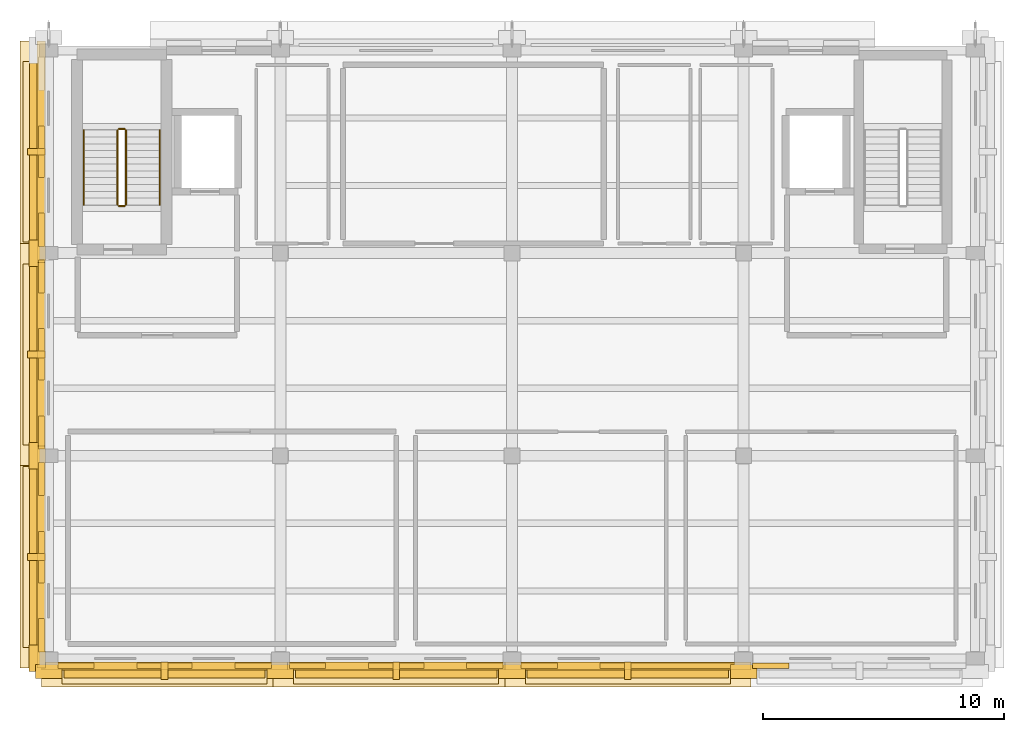
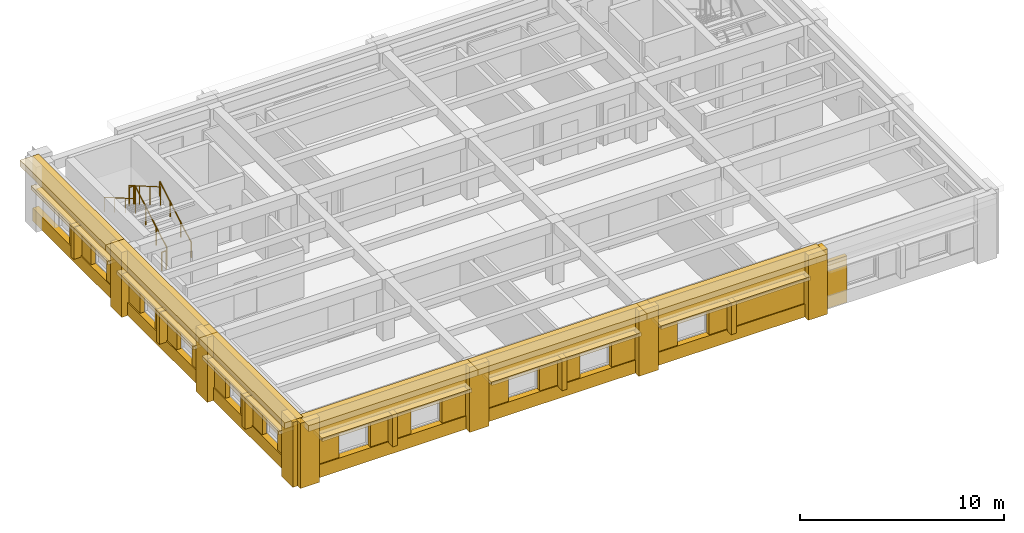
# One storey, part 7 of 9: 54 coverings, 6 railings, 6 shading devices.
"""IFC4 building model written with IfcOpenShell, lengths in metres."""

from ifc_helpers import new_model, si_unit, direction, frame, origin, origin_2d, place, context, subcontext, project, spatial, rectangle, circle, extrude, material, layer, layer_set, type_object, element, save


model = new_model("IFC4")

# Units and contexts
model_context = context("Model", 3, precision=1e-05, world=origin(), true_north=direction((0.0, 1.0)))
body_context = subcontext(model_context, "Body", "Model", "MODEL_VIEW")
ifc_project = project(units=[si_unit("LENGTHUNIT", "METRE"), si_unit("AREAUNIT", "SQUARE_METRE"), si_unit("VOLUMEUNIT", "CUBIC_METRE"), si_unit("PLANEANGLEUNIT", "RADIAN"), si_unit("MASSUNIT", "GRAM", prefix="KILO")], contexts=[model_context])

# Site, building, storey
site_placement = place(None, origin())
site = spatial("IfcSite", under=ifc_project, at=site_placement, CompositionType="ELEMENT")
building_placement = place(site_placement, origin())
building = spatial("IfcBuilding", under=site, at=building_placement, Name="Bempovik Park Faculty of Sciences", CompositionType="ELEMENT")
storey_placement = place(building_placement, frame((0.0, 0.0, 46.199951171875)))
storey = spatial("IfcBuildingStorey", under=building, at=storey_placement, Name="L11", CompositionType="ELEMENT", Elevation=46.199951171875)

# Coverings
ifc_material_1 = material(Name="Precast concrete C40/50", Category="concrete")
ifc_layer_1 = layer(ifc_material_1, 0.179931640625)
ifc_layer_set_1 = layer_set([ifc_layer_1], Name="Precast concrete C40/50")
covering_type_1 = type_object("IfcCoveringType", Name="CL-02 Classical Cornice Band 180mm", PredefinedType="CLADDING", material=ifc_layer_set_1)
covering_1_placement = place(storey_placement, frame((68.93505859375, 98.39990234375, 3.5400390625), z_axis=(0.0, 0.0, 1.0), x_axis=(1.0, 0.0, 0.0)))
element("IfcCovering", 1, at=covering_1_placement, inside=storey, type_object=covering_type_1, Name="L11 Classical Projecting Dentil Cornice EW-L11-11356", PredefinedType="CLADDING", context=body_context, shape_type="SweptSolid", body=[
    extrude(rectangle(XDim=1.050048828125, YDim=9.196044921875, at=origin_2d()), origin(), (0.0, 0.0, 1.0), 0.360107421875),
])
covering_2_placement = place(storey_placement, frame((69.0, 98.39990234375, 2.60986328125), z_axis=(0.0, 0.0, 1.0), x_axis=(1.0, 0.0, 0.0)))
element("IfcCovering", 2, at=covering_2_placement, inside=storey, type_object=covering_type_1, Name="L11 Classical Stone Solar Window Hood EW-L11-11356", PredefinedType="CLADDING", context=body_context, shape_type="SweptSolid", body=[
    extrude(rectangle(XDim=0.919921875, YDim=7.49609375, at=origin_2d()), origin(), (0.0, 0.0, 1.0), 0.219970703125),
])
covering_3_placement = place(storey_placement, frame((68.93505859375, 106.800048828125, 3.5400390625), z_axis=(0.0, 0.0, 1.0), x_axis=(1.0, 0.0, 0.0)))
element("IfcCovering", 3, at=covering_3_placement, inside=storey, type_object=covering_type_1, Name="L11 Classical Projecting Dentil Cornice EW-L11-11370", PredefinedType="CLADDING", context=body_context, shape_type="SweptSolid", body=[
    extrude(rectangle(XDim=1.050048828125, YDim=9.196044921875, at=origin_2d()), origin(), (0.0, 0.0, 1.0), 0.360107421875),
])
covering_4_placement = place(storey_placement, frame((69.0, 106.800048828125, 2.60986328125), z_axis=(0.0, 0.0, 1.0), x_axis=(1.0, 0.0, 0.0)))
element("IfcCovering", 4, at=covering_4_placement, inside=storey, type_object=covering_type_1, Name="L11 Classical Stone Solar Window Hood EW-L11-11370", PredefinedType="CLADDING", context=body_context, shape_type="SweptSolid", body=[
    extrude(rectangle(XDim=0.919921875, YDim=7.49609375, at=origin_2d()), origin(), (0.0, 0.0, 1.0), 0.219970703125),
])
covering_5_placement = place(storey_placement, frame((68.93505859375, 115.199951171875, 3.5400390625), z_axis=(0.0, 0.0, 1.0), x_axis=(1.0, 0.0, 0.0)))
element("IfcCovering", 5, at=covering_5_placement, inside=storey, type_object=covering_type_1, Name="L11 Classical Projecting Dentil Cornice EW-L11-11383", PredefinedType="CLADDING", context=body_context, shape_type="SweptSolid", body=[
    extrude(rectangle(XDim=1.050048828125, YDim=9.196044921875, at=origin_2d()), origin(), (0.0, 0.0, 1.0), 0.360107421875),
])
covering_6_placement = place(storey_placement, frame((69.0, 115.199951171875, 2.60986328125), z_axis=(0.0, 0.0, 1.0), x_axis=(1.0, 0.0, 0.0)))
element("IfcCovering", 6, at=covering_6_placement, inside=storey, type_object=covering_type_1, Name="L11 Classical Stone Solar Window Hood EW-L11-11383", PredefinedType="CLADDING", context=body_context, shape_type="SweptSolid", body=[
    extrude(rectangle(XDim=0.919921875, YDim=7.49609375, at=origin_2d()), origin(), (0.0, 0.0, 1.0), 0.219970703125),
])
covering_7_placement = place(storey_placement, frame((74.39990234375, 93.534912109375, 3.5400390625), z_axis=(0.0, 0.0, 1.0), x_axis=(1.0, 0.0, 0.0)))
element("IfcCovering", 7, at=covering_7_placement, inside=storey, type_object=covering_type_1, Name="L11 Classical Projecting Dentil Cornice EW-L11-11396", PredefinedType="CLADDING", context=body_context, shape_type="SweptSolid", body=[
    extrude(rectangle(XDim=10.196044921875, YDim=1.050048828125, at=origin_2d()), origin(), (0.0, 0.0, 1.0), 0.360107421875),
])
covering_8_placement = place(storey_placement, frame((74.39990234375, 93.60009765625, 2.56005859375), z_axis=(0.0, 0.0, 1.0), x_axis=(1.0, 0.0, 0.0)))
element("IfcCovering", 8, at=covering_8_placement, inside=storey, type_object=covering_type_1, Name="L11 Classical Stone Solar Window Hood EW-L11-11396", PredefinedType="CLADDING", context=body_context, shape_type="SweptSolid", body=[
    extrude(rectangle(XDim=8.49609375, YDim=0.919921875, at=origin_2d()), origin(), (0.0, 0.0, 1.0), 0.219970703125),
])
covering_9_placement = place(storey_placement, frame((84.0, 93.534912109375, 3.5400390625), z_axis=(0.0, 0.0, 1.0), x_axis=(1.0, 0.0, 0.0)))
element("IfcCovering", 9, at=covering_9_placement, inside=storey, type_object=covering_type_1, Name="L11 Classical Projecting Dentil Cornice EW-L11-11410", PredefinedType="CLADDING", context=body_context, shape_type="SweptSolid", body=[
    extrude(rectangle(XDim=10.196044921875, YDim=1.050048828125, at=origin_2d()), origin(), (0.0, 0.0, 1.0), 0.360107421875),
])
covering_10_placement = place(storey_placement, frame((84.0, 93.60009765625, 2.56005859375), z_axis=(0.0, 0.0, 1.0), x_axis=(1.0, 0.0, 0.0)))
element("IfcCovering", 10, at=covering_10_placement, inside=storey, type_object=covering_type_1, Name="L11 Classical Stone Solar Window Hood EW-L11-11410", PredefinedType="CLADDING", context=body_context, shape_type="SweptSolid", body=[
    extrude(rectangle(XDim=8.49609375, YDim=0.919921875, at=origin_2d()), origin(), (0.0, 0.0, 1.0), 0.219970703125),
])
covering_11_placement = place(storey_placement, frame((93.60009765625, 93.534912109375, 3.5400390625), z_axis=(0.0, 0.0, 1.0), x_axis=(1.0, 0.0, 0.0)))
element("IfcCovering", 11, at=covering_11_placement, inside=storey, type_object=covering_type_1, Name="L11 Classical Projecting Dentil Cornice EW-L11-11423", PredefinedType="CLADDING", context=body_context, shape_type="SweptSolid", body=[
    extrude(rectangle(XDim=10.196044921875, YDim=1.050048828125, at=origin_2d()), origin(), (0.0, 0.0, 1.0), 0.360107421875),
])
covering_12_placement = place(storey_placement, frame((93.60009765625, 93.60009765625, 2.56005859375), z_axis=(0.0, 0.0, 1.0), x_axis=(1.0, 0.0, 0.0)))
element("IfcCovering", 12, at=covering_12_placement, inside=storey, type_object=covering_type_1, Name="L11 Classical Stone Solar Window Hood EW-L11-11423", PredefinedType="CLADDING", context=body_context, shape_type="SweptSolid", body=[
    extrude(rectangle(XDim=8.49609375, YDim=0.919921875, at=origin_2d()), origin(), (0.0, 0.0, 1.0), 0.219970703125),
])
ifc_material_2 = material(Name="White reconstituted limestone precast C40/50", Category="masonry")
ifc_layer_2 = layer(ifc_material_2, 0.239990234375)
ifc_layer_set_2 = layer_set([ifc_layer_2], Name="White reconstituted limestone precast C40/50")
covering_type_2 = type_object("IfcCoveringType", Name="CL-03 Classical Fluted Limestone Pilaster 240mm", PredefinedType="CLADDING", material=ifc_layer_set_2)
covering_13_placement = place(storey_placement, frame((69.2900390625, 98.39990234375, 2.6201171875), z_axis=(0.0, 0.0, 1.0), x_axis=(1.0, 0.0, 0.0)))
element("IfcCovering", 13, at=covering_13_placement, inside=storey, type_object=covering_type_2, Name="L11 Classical Limestone Spandrel Entablature EW-L11-11356", PredefinedType="CLADDING", context=body_context, shape_type="SweptSolid", body=[
    extrude(rectangle(XDim=0.340087890625, YDim=9.196044921875, at=origin_2d()), origin(), (0.0, 0.0, 1.0), 1.280029296875),
])
covering_14_placement = place(storey_placement, frame((69.2900390625, 98.39990234375, 0.0), z_axis=(0.0, 0.0, 1.0), x_axis=(1.0, 0.0, 0.0)))
element("IfcCovering", 14, at=covering_14_placement, inside=storey, type_object=covering_type_2, Name="L11 Classical Limestone Sill Dado EW-L11-11356", PredefinedType="CLADDING", context=body_context, shape_type="SweptSolid", body=[
    extrude(rectangle(XDim=0.340087890625, YDim=9.196044921875, at=origin_2d()), origin(), (0.0, 0.0, 1.0), 0.780029296875),
])
for number, where, z_axis, x_axis, name in (
    (15, (69.070068359375, 94.199951171875, 0.0), (0.0, 0.0, 1.0), (1.0, 0.0, 0.0), "L11 Classical Fluted Stone Pilaster PIL-BA-L11-691-942"),
    (16, (69.070068359375, 102.60009765625, 0.0), (0.0, 0.0, 1.0), (1.0, 0.0, 0.0), "L11 Classical Fluted Stone Pilaster PIL-BA-L11-691-1026"),
):
    element("IfcCovering", number, at=place(storey_placement, frame(where, z_axis=z_axis, x_axis=x_axis)), inside=storey, type_object=covering_type_2, Name=name, PredefinedType="CLADDING", context=body_context, shape_type="SweptSolid", body=[
        extrude(rectangle(XDim=0.580078125, YDim=1.10009765625, at=origin_2d()), origin(), (0.0, 0.0, 1.0), 3.89990234375),
    ])
covering_15_placement = place(storey_placement, frame((69.300048828125, 95.166259765625, 0.0), z_axis=(0.0, 0.0, 1.0), x_axis=(1.0, 0.0, 0.0)))
element("IfcCovering", 17, at=covering_15_placement, inside=storey, type_object=covering_type_2, Name="L11 White Limestone Wall Cheek EW-L11-11356-0", PredefinedType="CLADDING", context=body_context, shape_type="SweptSolid", body=[
    extrude(rectangle(XDim=0.239990234375, YDim=1.37841796875, at=origin_2d()), origin(), (0.0, 0.0, 1.0), 2.780029296875),
])
covering_16_placement = place(storey_placement, frame((69.300048828125, 98.39990234375, 0.0), z_axis=(0.0, 0.0, 1.0), x_axis=(1.0, 0.0, 0.0)))
element("IfcCovering", 18, at=covering_16_placement, inside=storey, type_object=covering_type_2, Name="L11 White Limestone Wall Cheek EW-L11-11356-2", PredefinedType="CLADDING", context=body_context, shape_type="SweptSolid", body=[
    extrude(rectangle(XDim=0.239990234375, YDim=2.129150390625, at=origin_2d()), origin(), (0.0, 0.0, 1.0), 2.780029296875),
])
covering_17_placement = place(storey_placement, frame((69.300048828125, 101.6337890625, 0.0), z_axis=(0.0, 0.0, 1.0), x_axis=(1.0, 0.0, 0.0)))
element("IfcCovering", 19, at=covering_17_placement, inside=storey, type_object=covering_type_2, Name="L11 White Limestone Wall Cheek EW-L11-11356-4", PredefinedType="CLADDING", context=body_context, shape_type="SweptSolid", body=[
    extrude(rectangle(XDim=0.239990234375, YDim=1.37841796875, at=origin_2d()), origin(), (0.0, 0.0, 1.0), 2.780029296875),
])
covering_18_placement = place(storey_placement, frame((69.090087890625, 98.39990234375, 0.7001953125), z_axis=(0.0, 0.0, 1.0), x_axis=(1.0, 0.0, 0.0)))
element("IfcCovering", 20, at=covering_18_placement, inside=storey, type_object=covering_type_2, Name="L11 Classical Vertical Stone Shading Fin EW-L11-11356", PredefinedType="CLADDING", context=body_context, shape_type="SweptSolid", body=[
    extrude(rectangle(XDim=0.719970703125, YDim=0.280029296875, at=origin_2d()), origin(), (0.0, 0.0, 1.0), 1.949951171875),
])
covering_19_placement = place(storey_placement, frame((69.2900390625, 106.800048828125, 2.6201171875), z_axis=(0.0, 0.0, 1.0), x_axis=(1.0, 0.0, 0.0)))
element("IfcCovering", 21, at=covering_19_placement, inside=storey, type_object=covering_type_2, Name="L11 Classical Limestone Spandrel Entablature EW-L11-11370", PredefinedType="CLADDING", context=body_context, shape_type="SweptSolid", body=[
    extrude(rectangle(XDim=0.340087890625, YDim=9.196044921875, at=origin_2d()), origin(), (0.0, 0.0, 1.0), 1.280029296875),
])
covering_20_placement = place(storey_placement, frame((69.2900390625, 106.800048828125, 0.0), z_axis=(0.0, 0.0, 1.0), x_axis=(1.0, 0.0, 0.0)))
element("IfcCovering", 22, at=covering_20_placement, inside=storey, type_object=covering_type_2, Name="L11 Classical Limestone Sill Dado EW-L11-11370", PredefinedType="CLADDING", context=body_context, shape_type="SweptSolid", body=[
    extrude(rectangle(XDim=0.340087890625, YDim=9.196044921875, at=origin_2d()), origin(), (0.0, 0.0, 1.0), 0.780029296875),
])
covering_21_placement = place(storey_placement, frame((69.070068359375, 111.0, 0.0), z_axis=(0.0, 0.0, 1.0), x_axis=(1.0, 0.0, 0.0)))
element("IfcCovering", 23, at=covering_21_placement, inside=storey, type_object=covering_type_2, Name="L11 Classical Fluted Stone Pilaster PIL-BA-L11-691-1110", PredefinedType="CLADDING", context=body_context, shape_type="SweptSolid", body=[
    extrude(rectangle(XDim=0.580078125, YDim=1.10009765625, at=origin_2d()), origin(), (0.0, 0.0, 1.0), 3.89990234375),
])
covering_22_placement = place(storey_placement, frame((69.300048828125, 103.566162109375, 0.0), z_axis=(0.0, 0.0, 1.0), x_axis=(1.0, 0.0, 0.0)))
element("IfcCovering", 24, at=covering_22_placement, inside=storey, type_object=covering_type_2, Name="L11 White Limestone Wall Cheek EW-L11-11370-0", PredefinedType="CLADDING", context=body_context, shape_type="SweptSolid", body=[
    extrude(rectangle(XDim=0.239990234375, YDim=1.37841796875, at=origin_2d()), origin(), (0.0, 0.0, 1.0), 2.780029296875),
])
covering_23_placement = place(storey_placement, frame((69.300048828125, 106.800048828125, 0.0), z_axis=(0.0, 0.0, 1.0), x_axis=(1.0, 0.0, 0.0)))
element("IfcCovering", 25, at=covering_23_placement, inside=storey, type_object=covering_type_2, Name="L11 White Limestone Wall Cheek EW-L11-11370-2", PredefinedType="CLADDING", context=body_context, shape_type="SweptSolid", body=[
    extrude(rectangle(XDim=0.239990234375, YDim=2.129150390625, at=origin_2d()), origin(), (0.0, 0.0, 1.0), 2.780029296875),
])
covering_24_placement = place(storey_placement, frame((69.300048828125, 110.03369140625, 0.0), z_axis=(0.0, 0.0, 1.0), x_axis=(1.0, 0.0, 0.0)))
element("IfcCovering", 26, at=covering_24_placement, inside=storey, type_object=covering_type_2, Name="L11 White Limestone Wall Cheek EW-L11-11370-4", PredefinedType="CLADDING", context=body_context, shape_type="SweptSolid", body=[
    extrude(rectangle(XDim=0.239990234375, YDim=1.37841796875, at=origin_2d()), origin(), (0.0, 0.0, 1.0), 2.780029296875),
])
covering_25_placement = place(storey_placement, frame((69.090087890625, 106.800048828125, 0.7001953125), z_axis=(0.0, 0.0, 1.0), x_axis=(1.0, 0.0, 0.0)))
element("IfcCovering", 27, at=covering_25_placement, inside=storey, type_object=covering_type_2, Name="L11 Classical Vertical Stone Shading Fin EW-L11-11370", PredefinedType="CLADDING", context=body_context, shape_type="SweptSolid", body=[
    extrude(rectangle(XDim=0.719970703125, YDim=0.280029296875, at=origin_2d()), origin(), (0.0, 0.0, 1.0), 1.949951171875),
])
covering_26_placement = place(storey_placement, frame((69.2900390625, 115.199951171875, 2.6201171875), z_axis=(0.0, 0.0, 1.0), x_axis=(1.0, 0.0, 0.0)))
element("IfcCovering", 28, at=covering_26_placement, inside=storey, type_object=covering_type_2, Name="L11 Classical Limestone Spandrel Entablature EW-L11-11383", PredefinedType="CLADDING", context=body_context, shape_type="SweptSolid", body=[
    extrude(rectangle(XDim=0.340087890625, YDim=9.196044921875, at=origin_2d()), origin(), (0.0, 0.0, 1.0), 1.280029296875),
])
covering_27_placement = place(storey_placement, frame((69.2900390625, 115.199951171875, 0.0), z_axis=(0.0, 0.0, 1.0), x_axis=(1.0, 0.0, 0.0)))
element("IfcCovering", 29, at=covering_27_placement, inside=storey, type_object=covering_type_2, Name="L11 Classical Limestone Sill Dado EW-L11-11383", PredefinedType="CLADDING", context=body_context, shape_type="SweptSolid", body=[
    extrude(rectangle(XDim=0.340087890625, YDim=9.196044921875, at=origin_2d()), origin(), (0.0, 0.0, 1.0), 0.780029296875),
])
covering_28_placement = place(storey_placement, frame((69.300048828125, 111.96630859375, 0.0), z_axis=(0.0, 0.0, 1.0), x_axis=(1.0, 0.0, 0.0)))
element("IfcCovering", 30, at=covering_28_placement, inside=storey, type_object=covering_type_2, Name="L11 White Limestone Wall Cheek EW-L11-11383-0", PredefinedType="CLADDING", context=body_context, shape_type="SweptSolid", body=[
    extrude(rectangle(XDim=0.239990234375, YDim=1.37841796875, at=origin_2d()), origin(), (0.0, 0.0, 1.0), 2.780029296875),
])
covering_29_placement = place(storey_placement, frame((69.300048828125, 115.199951171875, 0.0), z_axis=(0.0, 0.0, 1.0), x_axis=(1.0, 0.0, 0.0)))
element("IfcCovering", 31, at=covering_29_placement, inside=storey, type_object=covering_type_2, Name="L11 White Limestone Wall Cheek EW-L11-11383-2", PredefinedType="CLADDING", context=body_context, shape_type="SweptSolid", body=[
    extrude(rectangle(XDim=0.239990234375, YDim=2.129150390625, at=origin_2d()), origin(), (0.0, 0.0, 1.0), 2.780029296875),
])
covering_30_placement = place(storey_placement, frame((69.090087890625, 115.199951171875, 0.7001953125), z_axis=(0.0, 0.0, 1.0), x_axis=(1.0, 0.0, 0.0)))
element("IfcCovering", 32, at=covering_30_placement, inside=storey, type_object=covering_type_2, Name="L11 Classical Vertical Stone Shading Fin EW-L11-11383", PredefinedType="CLADDING", context=body_context, shape_type="SweptSolid", body=[
    extrude(rectangle(XDim=0.719970703125, YDim=0.280029296875, at=origin_2d()), origin(), (0.0, 0.0, 1.0), 1.949951171875),
])
covering_31_placement = place(storey_placement, frame((74.39990234375, 93.889892578125, 2.6201171875), z_axis=(0.0, 0.0, 1.0), x_axis=(1.0, 0.0, 0.0)))
element("IfcCovering", 33, at=covering_31_placement, inside=storey, type_object=covering_type_2, Name="L11 Classical Limestone Spandrel Entablature EW-L11-11396", PredefinedType="CLADDING", context=body_context, shape_type="SweptSolid", body=[
    extrude(rectangle(XDim=10.196044921875, YDim=0.340087890625, at=origin_2d()), origin(), (0.0, 0.0, 1.0), 1.280029296875),
])
covering_32_placement = place(storey_placement, frame((74.39990234375, 93.889892578125, 0.0), z_axis=(0.0, 0.0, 1.0), x_axis=(1.0, 0.0, 0.0)))
element("IfcCovering", 34, at=covering_32_placement, inside=storey, type_object=covering_type_2, Name="L11 Classical Limestone Sill Dado EW-L11-11396", PredefinedType="CLADDING", context=body_context, shape_type="SweptSolid", body=[
    extrude(rectangle(XDim=10.196044921875, YDim=0.340087890625, at=origin_2d()), origin(), (0.0, 0.0, 1.0), 0.780029296875),
])
for number, where, z_axis, x_axis, name in (
    (35, (69.60009765625, 93.669921875, 0.0), (0.0, 0.0, 1.0), (1.0, 0.0, 0.0), "L11 Classical Fluted Stone Pilaster PIL-BA-L11-696-937"),
    (36, (79.199951171875, 93.669921875, 0.0), (0.0, 0.0, 1.0), (1.0, 0.0, 0.0), "L11 Classical Fluted Stone Pilaster PIL-BA-L11-792-937"),
):
    element("IfcCovering", number, at=place(storey_placement, frame(where, z_axis=z_axis, x_axis=x_axis)), inside=storey, type_object=covering_type_2, Name=name, PredefinedType="CLADDING", context=body_context, shape_type="SweptSolid", body=[
        extrude(rectangle(XDim=1.10009765625, YDim=0.580078125, at=origin_2d()), origin(), (0.0, 0.0, 1.0), 3.89990234375),
    ])
covering_33_placement = place(storey_placement, frame((70.726318359375, 93.89990234375, 0.0), z_axis=(0.0, 0.0, 1.0), x_axis=(1.0, 0.0, 0.0)))
element("IfcCovering", 37, at=covering_33_placement, inside=storey, type_object=covering_type_2, Name="L11 White Limestone Wall Cheek EW-L11-11396-0", PredefinedType="CLADDING", context=body_context, shape_type="SweptSolid", body=[
    extrude(rectangle(XDim=1.498291015625, YDim=0.239990234375, at=origin_2d()), origin(), (0.0, 0.0, 1.0), 2.780029296875),
])
covering_34_placement = place(storey_placement, frame((74.39990234375, 93.89990234375, 0.0), z_axis=(0.0, 0.0, 1.0), x_axis=(1.0, 0.0, 0.0)))
element("IfcCovering", 38, at=covering_34_placement, inside=storey, type_object=covering_type_2, Name="L11 White Limestone Wall Cheek EW-L11-11396-2", PredefinedType="CLADDING", context=body_context, shape_type="SweptSolid", body=[
    extrude(rectangle(XDim=2.289306640625, YDim=0.239990234375, at=origin_2d()), origin(), (0.0, 0.0, 1.0), 2.780029296875),
])
covering_35_placement = place(storey_placement, frame((78.07373046875, 93.89990234375, 0.0), z_axis=(0.0, 0.0, 1.0), x_axis=(1.0, 0.0, 0.0)))
element("IfcCovering", 39, at=covering_35_placement, inside=storey, type_object=covering_type_2, Name="L11 White Limestone Wall Cheek EW-L11-11396-4", PredefinedType="CLADDING", context=body_context, shape_type="SweptSolid", body=[
    extrude(rectangle(XDim=1.498291015625, YDim=0.239990234375, at=origin_2d()), origin(), (0.0, 0.0, 1.0), 2.780029296875),
])
covering_36_placement = place(storey_placement, frame((74.39990234375, 93.68994140625, 0.7001953125), z_axis=(0.0, 0.0, 1.0), x_axis=(1.0, 0.0, 0.0)))
element("IfcCovering", 40, at=covering_36_placement, inside=storey, type_object=covering_type_2, Name="L11 Classical Vertical Stone Shading Fin EW-L11-11396", PredefinedType="CLADDING", context=body_context, shape_type="SweptSolid", body=[
    extrude(rectangle(XDim=0.280029296875, YDim=0.719970703125, at=origin_2d()), origin(), (0.0, 0.0, 1.0), 1.89990234375),
])
covering_37_placement = place(storey_placement, frame((84.0, 93.889892578125, 2.6201171875), z_axis=(0.0, 0.0, 1.0), x_axis=(1.0, 0.0, 0.0)))
element("IfcCovering", 41, at=covering_37_placement, inside=storey, type_object=covering_type_2, Name="L11 Classical Limestone Spandrel Entablature EW-L11-11410", PredefinedType="CLADDING", context=body_context, shape_type="SweptSolid", body=[
    extrude(rectangle(XDim=10.196044921875, YDim=0.340087890625, at=origin_2d()), origin(), (0.0, 0.0, 1.0), 1.280029296875),
])
covering_38_placement = place(storey_placement, frame((84.0, 93.889892578125, 0.0), z_axis=(0.0, 0.0, 1.0), x_axis=(1.0, 0.0, 0.0)))
element("IfcCovering", 42, at=covering_38_placement, inside=storey, type_object=covering_type_2, Name="L11 Classical Limestone Sill Dado EW-L11-11410", PredefinedType="CLADDING", context=body_context, shape_type="SweptSolid", body=[
    extrude(rectangle(XDim=10.196044921875, YDim=0.340087890625, at=origin_2d()), origin(), (0.0, 0.0, 1.0), 0.780029296875),
])
covering_39_placement = place(storey_placement, frame((88.800048828125, 93.669921875, 0.0), z_axis=(0.0, 0.0, 1.0), x_axis=(1.0, 0.0, 0.0)))
element("IfcCovering", 43, at=covering_39_placement, inside=storey, type_object=covering_type_2, Name="L11 Classical Fluted Stone Pilaster PIL-BA-L11-888-937", PredefinedType="CLADDING", context=body_context, shape_type="SweptSolid", body=[
    extrude(rectangle(XDim=1.10009765625, YDim=0.580078125, at=origin_2d()), origin(), (0.0, 0.0, 1.0), 3.89990234375),
])
covering_40_placement = place(storey_placement, frame((80.326171875, 93.89990234375, 0.0), z_axis=(0.0, 0.0, 1.0), x_axis=(1.0, 0.0, 0.0)))
element("IfcCovering", 44, at=covering_40_placement, inside=storey, type_object=covering_type_2, Name="L11 White Limestone Wall Cheek EW-L11-11410-0", PredefinedType="CLADDING", context=body_context, shape_type="SweptSolid", body=[
    extrude(rectangle(XDim=1.498291015625, YDim=0.239990234375, at=origin_2d()), origin(), (0.0, 0.0, 1.0), 2.780029296875),
])
covering_41_placement = place(storey_placement, frame((84.0, 93.89990234375, 0.0), z_axis=(0.0, 0.0, 1.0), x_axis=(1.0, 0.0, 0.0)))
element("IfcCovering", 45, at=covering_41_placement, inside=storey, type_object=covering_type_2, Name="L11 White Limestone Wall Cheek EW-L11-11410-2", PredefinedType="CLADDING", context=body_context, shape_type="SweptSolid", body=[
    extrude(rectangle(XDim=2.289306640625, YDim=0.239990234375, at=origin_2d()), origin(), (0.0, 0.0, 1.0), 2.780029296875),
])
covering_42_placement = place(storey_placement, frame((87.673828125, 93.89990234375, 0.0), z_axis=(0.0, 0.0, 1.0), x_axis=(1.0, 0.0, 0.0)))
element("IfcCovering", 46, at=covering_42_placement, inside=storey, type_object=covering_type_2, Name="L11 White Limestone Wall Cheek EW-L11-11410-4", PredefinedType="CLADDING", context=body_context, shape_type="SweptSolid", body=[
    extrude(rectangle(XDim=1.498291015625, YDim=0.239990234375, at=origin_2d()), origin(), (0.0, 0.0, 1.0), 2.780029296875),
])
covering_43_placement = place(storey_placement, frame((84.0, 93.68994140625, 0.7001953125), z_axis=(0.0, 0.0, 1.0), x_axis=(1.0, 0.0, 0.0)))
element("IfcCovering", 47, at=covering_43_placement, inside=storey, type_object=covering_type_2, Name="L11 Classical Vertical Stone Shading Fin EW-L11-11410", PredefinedType="CLADDING", context=body_context, shape_type="SweptSolid", body=[
    extrude(rectangle(XDim=0.280029296875, YDim=0.719970703125, at=origin_2d()), origin(), (0.0, 0.0, 1.0), 1.89990234375),
])
covering_44_placement = place(storey_placement, frame((93.60009765625, 93.889892578125, 2.6201171875), z_axis=(0.0, 0.0, 1.0), x_axis=(1.0, 0.0, 0.0)))
element("IfcCovering", 48, at=covering_44_placement, inside=storey, type_object=covering_type_2, Name="L11 Classical Limestone Spandrel Entablature EW-L11-11423", PredefinedType="CLADDING", context=body_context, shape_type="SweptSolid", body=[
    extrude(rectangle(XDim=10.196044921875, YDim=0.340087890625, at=origin_2d()), origin(), (0.0, 0.0, 1.0), 1.280029296875),
])
covering_45_placement = place(storey_placement, frame((93.60009765625, 93.889892578125, 0.0), z_axis=(0.0, 0.0, 1.0), x_axis=(1.0, 0.0, 0.0)))
element("IfcCovering", 49, at=covering_45_placement, inside=storey, type_object=covering_type_2, Name="L11 Classical Limestone Sill Dado EW-L11-11423", PredefinedType="CLADDING", context=body_context, shape_type="SweptSolid", body=[
    extrude(rectangle(XDim=10.196044921875, YDim=0.340087890625, at=origin_2d()), origin(), (0.0, 0.0, 1.0), 0.780029296875),
])
covering_46_placement = place(storey_placement, frame((98.39990234375, 93.669921875, 0.0), z_axis=(0.0, 0.0, 1.0), x_axis=(1.0, 0.0, 0.0)))
element("IfcCovering", 50, at=covering_46_placement, inside=storey, type_object=covering_type_2, Name="L11 Classical Fluted Stone Pilaster PIL-BA-L11-984-937", PredefinedType="CLADDING", context=body_context, shape_type="SweptSolid", body=[
    extrude(rectangle(XDim=1.10009765625, YDim=0.580078125, at=origin_2d()), origin(), (0.0, 0.0, 1.0), 3.89990234375),
])
covering_47_placement = place(storey_placement, frame((89.92626953125, 93.89990234375, 0.0), z_axis=(0.0, 0.0, 1.0), x_axis=(1.0, 0.0, 0.0)))
element("IfcCovering", 51, at=covering_47_placement, inside=storey, type_object=covering_type_2, Name="L11 White Limestone Wall Cheek EW-L11-11423-0", PredefinedType="CLADDING", context=body_context, shape_type="SweptSolid", body=[
    extrude(rectangle(XDim=1.498291015625, YDim=0.239990234375, at=origin_2d()), origin(), (0.0, 0.0, 1.0), 2.780029296875),
])
covering_48_placement = place(storey_placement, frame((95.2392578125, 93.89990234375, 0.0), z_axis=(0.0, 0.0, 1.0), x_axis=(1.0, 0.0, 0.0)))
element("IfcCovering", 52, at=covering_48_placement, inside=storey, type_object=covering_type_2, Name="L11 White Limestone Wall Cheek EW-L11-11423-2", PredefinedType="CLADDING", context=body_context, shape_type="SweptSolid", body=[
    extrude(rectangle(XDim=5.567626953125, YDim=0.239990234375, at=origin_2d()), origin(), (0.0, 0.0, 1.0), 2.780029296875),
])
covering_49_placement = place(storey_placement, frame((93.60009765625, 93.68994140625, 0.7001953125), z_axis=(0.0, 0.0, 1.0), x_axis=(1.0, 0.0, 0.0)))
element("IfcCovering", 53, at=covering_49_placement, inside=storey, type_object=covering_type_2, Name="L11 Classical Vertical Stone Shading Fin EW-L11-11423", PredefinedType="CLADDING", context=body_context, shape_type="SweptSolid", body=[
    extrude(rectangle(XDim=0.280029296875, YDim=0.719970703125, at=origin_2d()), origin(), (0.0, 0.0, 1.0), 1.89990234375),
])
covering_50_placement = place(storey_placement, frame((99.526123046875, 93.89990234375, 0.0), z_axis=(0.0, 0.0, 1.0), x_axis=(1.0, 0.0, 0.0)))
element("IfcCovering", 54, at=covering_50_placement, inside=storey, type_object=covering_type_2, Name="L11 White Limestone Wall Cheek EW-L11-11434-0", PredefinedType="CLADDING", context=body_context, shape_type="SweptSolid", body=[
    extrude(rectangle(XDim=1.498291015625, YDim=0.239990234375, at=origin_2d()), origin(), (0.0, 0.0, 1.0), 2.780029296875),
])

# Railings
ifc_material_3 = material(Name="Anodised architectural bronze")
railing_type_1 = type_object("IfcRailingType", Name="GR-01 Guardrail 1120mm", PredefinedType="GUARDRAIL", material=ifc_material_3)
railing_1_placement = place(storey_placement, frame((72.800048828125, 113.0, 0.16259765625)))
element("IfcRailing", 55, at=railing_1_placement, inside=storey, type_object=railing_type_1, Name="L11 ST-1 Stair Guard 1", PredefinedType="GUARDRAIL", context=body_context, shape_type="SweptSolid", body=[
    extrude(circle(Radius=0.02392578125, at=origin_2d()), frame((0.0, 0.0, 1.09619140625), z_axis=(0.0, 0.865882832026, 0.500246860263), x_axis=(-1.0, 0.0, 0.0)), (0.0, 0.0, 1.0), 3.572998046875),
    extrude(circle(Radius=0.02099609375, at=origin_2d()), origin(), (0.0, 0.0, 1.0), 1.072021484375),
    extrude(circle(Radius=0.02099609375, at=origin_2d()), frame((0.0, 1.03125, 0.595703125)), (0.0, 0.0, 1.0), 1.072021484375),
    extrude(circle(Radius=0.02099609375, at=origin_2d()), frame((0.0, 2.0625, 1.191650390625)), (0.0, 0.0, 1.0), 1.072021484375),
    extrude(circle(Radius=0.02099609375, at=origin_2d()), frame((0.0, 3.09375, 1.787353515625)), (0.0, 0.0, 1.0), 1.072021484375),
])
railing_2_placement = place(storey_placement, frame((72.75, 116.143798828125, 1.949951171875)))
element("IfcRailing", 56, at=railing_2_placement, inside=storey, type_object=railing_type_1, Name="L11 ST-1 Stair Guard 2", PredefinedType="GUARDRAIL", context=body_context, shape_type="SweptSolid", body=[
    extrude(circle(Radius=0.02392578125, at=origin_2d()), frame((0.0, 0.0, 1.09619140625), z_axis=(-1.0, 0.0, 0.0), x_axis=(0.0, -1.0, 0.0)), (0.0, 0.0, 1.0), 0.25),
    extrude(circle(Radius=0.02099609375, at=origin_2d()), origin(), (0.0, 0.0, 1.0), 1.072021484375),
    extrude(circle(Radius=0.02099609375, at=origin_2d()), frame((-0.25, 0.0, 0.0)), (0.0, 0.0, 1.0), 1.072021484375),
])
railing_3_placement = place(storey_placement, frame((72.449951171875, 116.09375, 2.112548828125)))
element("IfcRailing", 57, at=railing_3_placement, inside=storey, type_object=railing_type_1, Name="L11 ST-1 Stair Guard 3", PredefinedType="GUARDRAIL", context=body_context, shape_type="SweptSolid", body=[
    extrude(circle(Radius=0.02392578125, at=origin_2d()), frame((0.0, 0.0, 1.09619140625), z_axis=(0.0, -0.865853233856, 0.500298088565), x_axis=(1.0, 0.0, 0.0)), (0.0, 0.0, 1.0), 3.572998046875),
    extrude(circle(Radius=0.02099609375, at=origin_2d()), origin(), (0.0, 0.0, 1.0), 1.072021484375),
    extrude(circle(Radius=0.02099609375, at=origin_2d()), frame((0.0, -1.03125, 0.595947265625)), (0.0, 0.0, 1.0), 1.072021484375),
    extrude(circle(Radius=0.02099609375, at=origin_2d()), frame((0.0, -2.0625, 1.191650390625)), (0.0, 0.0, 1.0), 1.072021484375),
    extrude(circle(Radius=0.02099609375, at=origin_2d()), frame((0.0, -3.09375, 1.78759765625)), (0.0, 0.0, 1.0), 1.072021484375),
])
railing_4_placement = place(storey_placement, frame((72.75, 112.949951171875, 0.0)))
element("IfcRailing", 58, at=railing_4_placement, inside=storey, type_object=railing_type_1, Name="L11 ST-1 Stair Guard 4", PredefinedType="GUARDRAIL", context=body_context, shape_type="SweptSolid", body=[
    extrude(circle(Radius=0.02392578125, at=origin_2d()), frame((0.0, 0.0, 1.09619140625), z_axis=(-1.0, 0.0, 0.0), x_axis=(0.0, -1.0, 0.0)), (0.0, 0.0, 1.0), 0.25),
    extrude(circle(Radius=0.02099609375, at=origin_2d()), origin(), (0.0, 0.0, 1.0), 1.072021484375),
    extrude(circle(Radius=0.02099609375, at=origin_2d()), frame((-0.25, 0.0, 0.0)), (0.0, 0.0, 1.0), 1.072021484375),
])
railing_type_2 = type_object("IfcRailingType", Name="HR-01 Wall Handrail 900mm", PredefinedType="HANDRAIL", material=ifc_material_3)
railing_5_placement = place(storey_placement, frame((74.199951171875, 113.0, 0.16259765625)))
element("IfcRailing", 59, at=railing_5_placement, inside=storey, type_object=railing_type_2, Name="L11 ST-1 Stair Handrail 1", PredefinedType="HANDRAIL", context=body_context, shape_type="SweptSolid", body=[
    extrude(circle(Radius=0.02392578125, at=origin_2d()), frame((0.0, 0.0, 0.8759765625), z_axis=(0.0, 0.865882832026, 0.500246860263), x_axis=(-1.0, 0.0, 0.0)), (0.0, 0.0, 1.0), 3.572998046875),
    extrude(circle(Radius=0.02099609375, at=origin_2d()), origin(), (0.0, 0.0, 1.0), 0.851806640625),
    extrude(circle(Radius=0.02099609375, at=origin_2d()), frame((0.0, 1.03125, 0.595703125)), (0.0, 0.0, 1.0), 0.851806640625),
    extrude(circle(Radius=0.02099609375, at=origin_2d()), frame((0.0, 2.0625, 1.191650390625)), (0.0, 0.0, 1.0), 0.851806640625),
    extrude(circle(Radius=0.02099609375, at=origin_2d()), frame((0.0, 3.09375, 1.787353515625)), (0.0, 0.0, 1.0), 0.851806640625),
])
railing_6_placement = place(storey_placement, frame((71.050048828125, 116.09375, 2.112548828125)))
element("IfcRailing", 60, at=railing_6_placement, inside=storey, type_object=railing_type_2, Name="L11 ST-1 Stair Handrail 2", PredefinedType="HANDRAIL", context=body_context, shape_type="SweptSolid", body=[
    extrude(circle(Radius=0.02392578125, at=origin_2d()), frame((0.0, 0.0, 0.8759765625), z_axis=(0.0, -0.865853233856, 0.500298088565), x_axis=(1.0, 0.0, 0.0)), (0.0, 0.0, 1.0), 3.572998046875),
    extrude(circle(Radius=0.02099609375, at=origin_2d()), origin(), (0.0, 0.0, 1.0), 0.851806640625),
    extrude(circle(Radius=0.02099609375, at=origin_2d()), frame((0.0, -1.03125, 0.595947265625)), (0.0, 0.0, 1.0), 0.851806640625),
    extrude(circle(Radius=0.02099609375, at=origin_2d()), frame((0.0, -2.0625, 1.191650390625)), (0.0, 0.0, 1.0), 0.851806640625),
    extrude(circle(Radius=0.02099609375, at=origin_2d()), frame((0.0, -3.09375, 1.78759765625)), (0.0, 0.0, 1.0), 0.851806640625),
])

# Shading devices
ifc_layer_3 = layer(ifc_material_3, 0.06005859375)
ifc_layer_set_3 = layer_set([ifc_layer_3], Name="Anodised architectural bronze")
shading_device_type = type_object("IfcShadingDeviceType", Name="SH-01 Bronze Brise-Soleil Fin", PredefinedType="USERDEFINED", material=ifc_layer_set_3)
for number, where, z_axis, x_axis, name in (
    (61, (69.1201171875, 98.39990234375, 2.550048828125), (0.0, 0.0, 1.0), (1.0, 0.0, 0.0), "L11 Equatorial Bronze Brise-Soleil EW-L11-11356"),
    (62, (69.1201171875, 106.800048828125, 2.550048828125), (0.0, 0.0, 1.0), (1.0, 0.0, 0.0), "L11 Equatorial Bronze Brise-Soleil EW-L11-11370"),
    (63, (69.1201171875, 115.199951171875, 2.550048828125), (0.0, 0.0, 1.0), (1.0, 0.0, 0.0), "L11 Equatorial Bronze Brise-Soleil EW-L11-11383"),
):
    element("IfcShadingDevice", number, at=place(storey_placement, frame(where, z_axis=z_axis, x_axis=x_axis)), inside=storey, type_object=shading_device_type, Name=name, ObjectType="BRISE SOLEIL", PredefinedType="USERDEFINED", context=body_context, shape_type="SweptSolid", body=[
        extrude(rectangle(XDim=0.64990234375, YDim=7.345947265625, at=origin_2d()), origin(), (0.0, 0.0, 1.0), 0.06005859375),
    ])
for number, where, z_axis, x_axis, name in (
    (64, (74.39990234375, 93.719970703125, 2.5), (0.0, 0.0, 1.0), (1.0, 0.0, 0.0), "L11 Equatorial Bronze Brise-Soleil EW-L11-11396"),
    (65, (84.0, 93.719970703125, 2.5), (0.0, 0.0, 1.0), (1.0, 0.0, 0.0), "L11 Equatorial Bronze Brise-Soleil EW-L11-11410"),
    (66, (93.60009765625, 93.719970703125, 2.5), (0.0, 0.0, 1.0), (1.0, 0.0, 0.0), "L11 Equatorial Bronze Brise-Soleil EW-L11-11423"),
):
    element("IfcShadingDevice", number, at=place(storey_placement, frame(where, z_axis=z_axis, x_axis=x_axis)), inside=storey, type_object=shading_device_type, Name=name, ObjectType="BRISE SOLEIL", PredefinedType="USERDEFINED", context=body_context, shape_type="SweptSolid", body=[
        extrude(rectangle(XDim=8.345947265625, YDim=0.64990234375, at=origin_2d()), origin(), (0.0, 0.0, 1.0), 0.06005859375),
    ])

save(model, "model.ifc")
